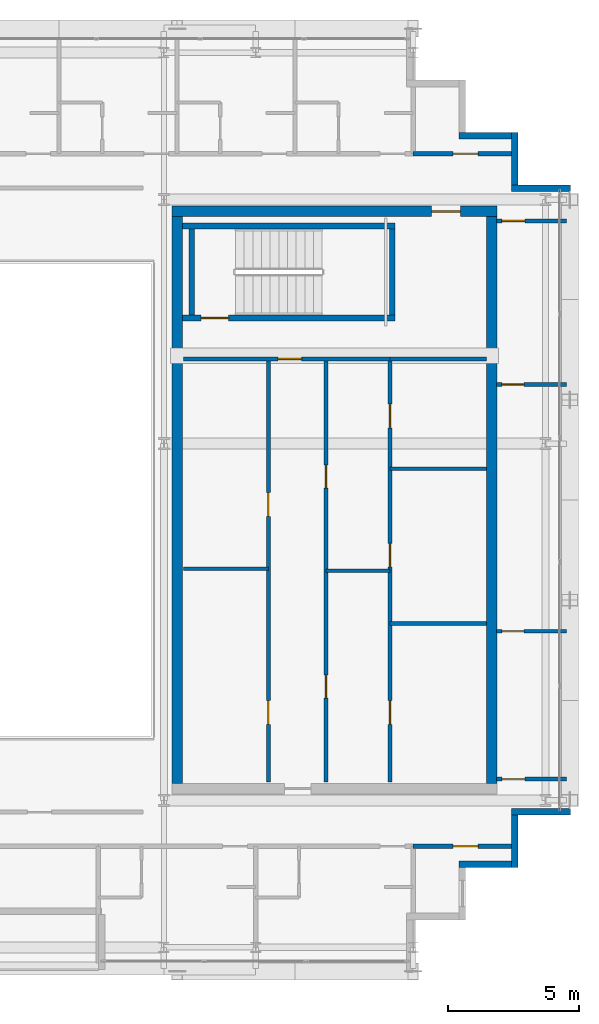
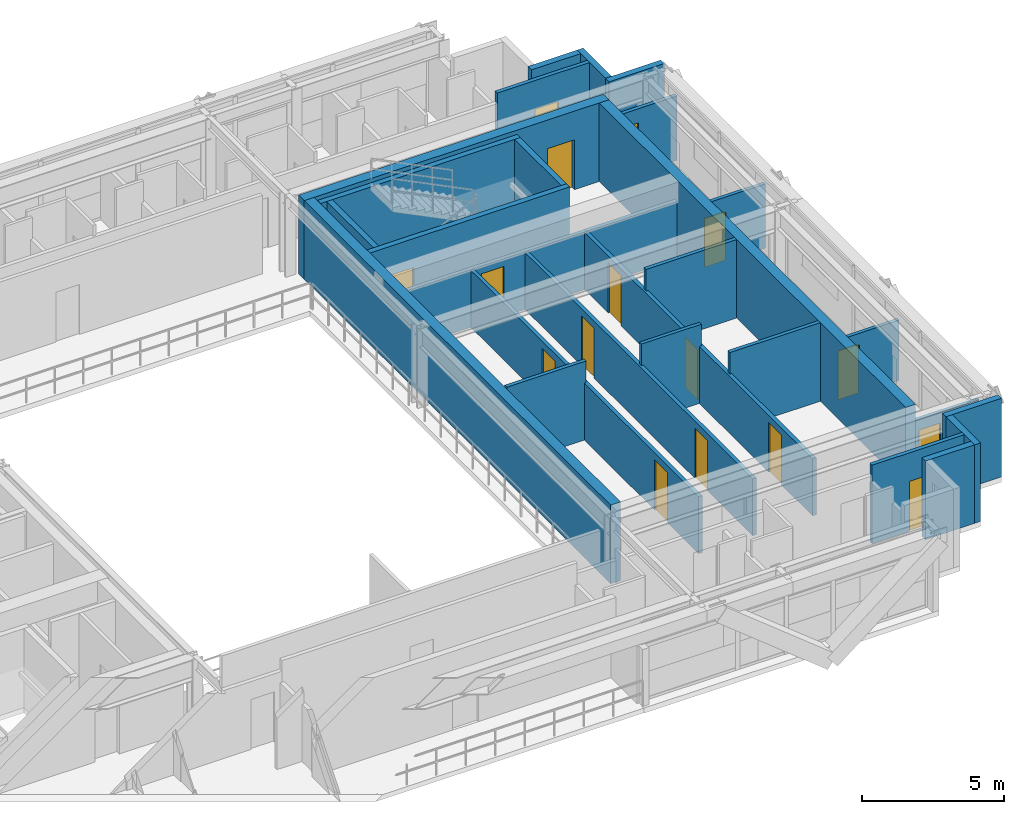
# One storey, part 22 of 28: 28 walls, 16 doors, 16 openings.
"""IFC4 building model written with IfcOpenShell, lengths in metres."""

from ifc_helpers import new_model, si_unit, direction, frame, frame_2d, origin, place, context, subcontext, project, spatial, rectangle, extrude, source, transform, mapped, material, layer, layer_set, type_object, element, fill, save


model = new_model("IFC4")

# Units and contexts
model_context = context("Model", 3, precision=1e-05, world=origin(), true_north=direction((0.0, 1.0)))
body_context = subcontext(model_context, "Body", "Model", "MODEL_VIEW")
ifc_project = project(units=[si_unit("LENGTHUNIT", "METRE"), si_unit("AREAUNIT", "SQUARE_METRE"), si_unit("VOLUMEUNIT", "CUBIC_METRE"), si_unit("PLANEANGLEUNIT", "RADIAN"), si_unit("MASSUNIT", "GRAM", prefix="KILO")], contexts=[model_context])

# Site, building, storey
site_placement = place(None, origin())
site = spatial("IfcSite", under=ifc_project, at=site_placement, CompositionType="ELEMENT")
building_placement = place(site_placement, origin())
building = spatial("IfcBuilding", under=site, at=building_placement, Name="Ocotamira Hotel", CompositionType="ELEMENT")
storey_placement = place(building_placement, frame((0.0, 0.0, 240.0)))
storey = spatial("IfcBuildingStorey", under=building, at=storey_placement, Name="L60", CompositionType="ELEMENT", Elevation=240.0)

# Wall, opening, door
ifc_material_1 = material(Name="Concrete C50/60", Category="concrete")
ifc_layer_1 = layer(ifc_material_1, 0.39990234375)
ifc_layer_set_1 = layer_set([ifc_layer_1], Name="Concrete C50/60")
wall_type_1 = type_object("IfcWallType", Name="WL-CORE-400", PredefinedType="SHEAR", material=ifc_layer_set_1)
wall_1_placement = place(storey_placement, frame((40.800048828125, 37.0, 0.0), z_axis=(0.0, 0.0, 1.0), x_axis=(1.0, 0.0, 0.0)))
wall_1 = element("IfcWall", 1, at=wall_1_placement, inside=storey, type_object=wall_type_1, Name="L60 Shear Core Wall ECORE-N", PredefinedType="SHEAR", context=body_context, shape_type="SweptSolid", body=[
    extrude(rectangle(XDim=12.39990234375, YDim=0.39990234375, at=frame_2d((6.199951171875, 0.0))), origin(), (0.0, 0.0, 1.0), 3.3798828125),
])
opening_1_placement = place(wall_1_placement, frame((9.89990234375, 0.0, 0.0)))
opening_1 = element("IfcOpeningElement", 2, at=opening_1_placement, cuts=wall_1, Name="Opening D-FR1", PredefinedType="OPENING", context=body_context, shape_type="SweptSolid", body=[
    extrude(rectangle(XDim=1.10009765625, YDim=2.14990234375, at=frame_2d((0.550048828125, 1.074951171875))), frame((0.0, 0.2099609375, 0.0), z_axis=(0.0, -1.0, 0.0), x_axis=(1.0, 0.0, 0.0)), (0.0, 0.0, 1.0), 0.419921875),
])
ifc_material_2 = material(Name="Fire-rated acoustic timber-veneer door", Category="wood")
door_type_1 = type_object("IfcDoorType", Name="DR-FIRE-1100", OperationType="NOTDEFINED", PredefinedType="DOOR", material=ifc_material_2)
shared_shape_1 = source(origin(), body_context, "Body", "SweptSolid", [
    extrude(rectangle(XDim=1.10009765625, YDim=2.14990234375, at=frame_2d((0.550048828125, 1.074951171875))), frame((0.0, 0.02490234375, 0.0), z_axis=(0.0, -1.0, 0.0), x_axis=(1.0, 0.0, 0.0)), (0.0, 0.0, 1.0), 0.050048828125),
])
door_1_placement = place(opening_1_placement, origin())
door_1 = element("IfcDoor", 3, at=door_1_placement, inside=storey, type_object=door_type_1, Name="L60 Door ID-L60-ELOB-N-D [ID-L60-ELOB-N-D]", OperationType="SINGLE_SWING_LEFT", OverallHeight=2.14990234375, OverallWidth=1.10009765625, PredefinedType="DOOR", context=body_context, shape_type="MappedRepresentation", body=[
    mapped(shared_shape_1, transform((0.0, 0.0, 0.0), scale=1.0)),
])
fill(opening_1, door_1)

# Walls
for number, where, z_axis, x_axis, name in (
    (4, (41.0, 15.199951171875, 0.0), (0.0, 0.0, 1.0), (0.0, 1.0, 0.0), "L60 Shear Core Wall ECORE-W"),
    (5, (53.0, 15.199951171875, 0.0), (0.0, 0.0, 1.0), (0.0, 1.0, 0.0), "L60 Shear Core Wall ECORE-E"),
):
    element("IfcWall", number, at=place(storey_placement, frame(where, z_axis=z_axis, x_axis=x_axis)), inside=storey, type_object=wall_type_1, Name=name, PredefinedType="SHEAR", context=body_context, shape_type="SweptSolid", body=[
        extrude(rectangle(XDim=21.60009765625, YDim=0.39990234375, at=frame_2d((10.800048828125, 0.0))), origin(), (0.0, 0.0, 1.0), 3.3798828125),
    ])
ifc_material_3 = material(Name="Precast concrete C45/55", Category="concrete")
ifc_layer_2 = layer(ifc_material_3, 0.25)
ifc_layer_set_2 = layer_set([ifc_layer_2], Name="Precast concrete C45/55")
wall_type_2 = type_object("IfcWallType", Name="WL-EXT-SER-250", PredefinedType="SOLIDWALL", material=ifc_layer_set_2)
for number, where, z_axis, x_axis, name in (
    (6, (51.75, 12.125, 0.0), (0.0, 0.0, 1.0), (1.0, 0.0, 0.0), "L60 Serrated Corner Wall 04"),
    (7, (53.875, 12.0, 0.0), (0.0, 0.0, 1.0), (0.0, 1.0, 0.0), "L60 Serrated Corner Wall 05"),
):
    element("IfcWall", number, at=place(storey_placement, frame(where, z_axis=z_axis, x_axis=x_axis)), inside=storey, type_object=wall_type_2, Name=name, PredefinedType="SOLIDWALL", context=body_context, shape_type="SweptSolid", body=[
        extrude(rectangle(XDim=2.0, YDim=0.25, at=frame_2d((1.0, 0.0))), origin(), (0.0, 0.0, 1.0), 3.3798828125),
    ])
for number, where, z_axis, x_axis, name in (
    (8, (53.75, 14.125, 0.0), (0.0, 0.0, 1.0), (1.0, 0.0, 0.0), "L60 Serrated Corner Wall 06"),
    (9, (56.0, 37.875, 0.0), (0.0, 0.0, 1.0), (-1.0, 0.0, 0.0), "L60 Serrated Corner Wall 07"),
):
    element("IfcWall", number, at=place(storey_placement, frame(where, z_axis=z_axis, x_axis=x_axis)), inside=storey, type_object=wall_type_2, Name=name, PredefinedType="SOLIDWALL", context=body_context, shape_type="SweptSolid", body=[
        extrude(rectangle(XDim=2.25, YDim=0.25, at=frame_2d((1.125, 0.0))), origin(), (0.0, 0.0, 1.0), 3.3798828125),
    ])
for number, where, z_axis, x_axis, name in (
    (10, (53.875, 38.0, 0.0), (0.0, 0.0, 1.0), (0.0, 1.0, 0.0), "L60 Serrated Corner Wall 08"),
    (11, (53.75, 39.875, 0.0), (0.0, 0.0, 1.0), (-1.0, 0.0, 0.0), "L60 Serrated Corner Wall 09"),
):
    element("IfcWall", number, at=place(storey_placement, frame(where, z_axis=z_axis, x_axis=x_axis)), inside=storey, type_object=wall_type_2, Name=name, PredefinedType="SOLIDWALL", context=body_context, shape_type="SweptSolid", body=[
        extrude(rectangle(XDim=2.0, YDim=0.25, at=frame_2d((1.0, 0.0))), origin(), (0.0, 0.0, 1.0), 3.3798828125),
    ])
ifc_material_4 = material(Name="Acoustic double-layer fire gypsum board partition", Category="gypsum")
ifc_layer_3 = layer(ifc_material_4, 0.159912109375)
ifc_layer_set_3 = layer_set([ifc_layer_3], Name="Acoustic double-layer fire gypsum board partition")
wall_type_3 = type_object("IfcWallType", Name="WL-FIRE-160", PredefinedType="PARTITIONING", material=ifc_layer_set_3)
wall_2_placement = place(storey_placement, frame((49.1201171875, 31.3798828125, 0.0), z_axis=(0.0, 0.0, 1.0), x_axis=(1.0, 0.0, 0.0)))
element("IfcWall", 12, at=wall_2_placement, inside=storey, type_object=wall_type_3, Name="L60 Interior Wall PW-L60-EC-FLOW-N", PredefinedType="PARTITIONING", context=body_context, shape_type="SweptSolid", body=[
    extrude(rectangle(XDim=3.679931640625, YDim=0.159912109375, at=frame_2d((1.83984375, 0.0))), origin(), (0.0, 0.0, 1.0), 2.47998046875),
])

# Wall, openings, doors
wall_3_placement = place(storey_placement, frame((49.1201171875, 15.25, 0.0), z_axis=(0.0, 0.0, 1.0), x_axis=(0.0, 1.0, 0.0)))
wall_3 = element("IfcWall", 13, at=wall_3_placement, inside=storey, type_object=wall_type_3, Name="L60 Interior Wall PW-L60-EC-FLOW-W", PredefinedType="PARTITIONING", context=body_context, shape_type="SweptSolid", body=[
    extrude(rectangle(XDim=16.1298828125, YDim=0.159912109375, at=frame_2d((8.06494140625, 0.0))), origin(), (0.0, 0.0, 1.0), 2.452880859375),
])
opening_2_placement = place(wall_3_placement, frame((2.199951171875, 0.0, 0.0)))
opening_2 = element("IfcOpeningElement", 14, at=opening_2_placement, cuts=wall_3, Name="Opening D-IN3", PredefinedType="OPENING", context=body_context, shape_type="SweptSolid", body=[
    extrude(rectangle(XDim=0.89990234375, YDim=2.14990234375, at=frame_2d((0.449951171875, 1.074951171875))), frame((0.0, 0.08984375, 0.0), z_axis=(0.0, -1.0, 0.0), x_axis=(1.0, 0.0, 0.0)), (0.0, 0.0, 1.0), 0.179931640625),
])
opening_3_placement = place(wall_3_placement, frame((8.199951171875, 0.0, 0.0)))
opening_3 = element("IfcOpeningElement", 15, at=opening_3_placement, cuts=wall_3, Name="Opening D-IN3", PredefinedType="OPENING", context=body_context, shape_type="SweptSolid", body=[
    extrude(rectangle(XDim=0.89990234375, YDim=2.14990234375, at=frame_2d((0.449951171875, 1.074951171875))), frame((0.0, 0.08984375, 0.0), z_axis=(0.0, -1.0, 0.0), x_axis=(1.0, 0.0, 0.0)), (0.0, 0.0, 1.0), 0.179931640625),
])
opening_4_placement = place(wall_3_placement, frame((13.5, 0.0, 0.0)))
opening_4 = element("IfcOpeningElement", 16, at=opening_4_placement, cuts=wall_3, Name="Opening D-IN3", PredefinedType="OPENING", context=body_context, shape_type="SweptSolid", body=[
    extrude(rectangle(XDim=0.89990234375, YDim=2.14990234375, at=frame_2d((0.449951171875, 1.074951171875))), frame((0.0, 0.08984375, 0.0), z_axis=(0.0, -1.0, 0.0), x_axis=(1.0, 0.0, 0.0)), (0.0, 0.0, 1.0), 0.179931640625),
])
ifc_material_5 = material(Name="Painted service room door", Category="steel")
door_type_2 = type_object("IfcDoorType", Name="DR-INT-900", OperationType="NOTDEFINED", PredefinedType="DOOR", material=ifc_material_5)
shared_shape_2 = source(origin(), body_context, "Body", "SweptSolid", [
    extrude(rectangle(XDim=0.89990234375, YDim=2.14990234375, at=frame_2d((0.449951171875, 1.074951171875))), frame((0.0, 0.02490234375, 0.0), z_axis=(0.0, -1.0, 0.0), x_axis=(1.0, 0.0, 0.0)), (0.0, 0.0, 1.0), 0.050048828125),
])
door_2_placement = place(opening_2_placement, origin())
door_2 = element("IfcDoor", 17, at=door_2_placement, inside=storey, type_object=door_type_2, Name="L60 Door ID-L60-EC-FLOW-D1 [ID-L60-EC-FLOW-D1]", OperationType="SINGLE_SWING_LEFT", OverallHeight=2.14990234375, OverallWidth=0.89990234375, PredefinedType="DOOR", context=body_context, shape_type="MappedRepresentation", body=[
    mapped(shared_shape_2, transform((0.0, 0.0, 0.0), scale=1.0)),
])
fill(opening_2, door_2)
door_3_placement = place(opening_3_placement, origin())
door_3 = element("IfcDoor", 18, at=door_3_placement, inside=storey, type_object=door_type_2, Name="L60 Door ID-L60-EC-FLOW-D2 [ID-L60-EC-FLOW-D2]", OperationType="SINGLE_SWING_RIGHT", OverallHeight=2.14990234375, OverallWidth=0.89990234375, PredefinedType="DOOR", context=body_context, shape_type="MappedRepresentation", body=[
    mapped(shared_shape_2, transform((0.0, 0.0, 0.0), scale=1.0)),
])
fill(opening_3, door_3)
door_4_placement = place(opening_4_placement, origin())
door_4 = element("IfcDoor", 19, at=door_4_placement, inside=storey, type_object=door_type_2, Name="L60 Door ID-L60-EC-FLOW-D3 [ID-L60-EC-FLOW-D3]", OperationType="SINGLE_SWING_LEFT", OverallHeight=2.14990234375, OverallWidth=0.89990234375, PredefinedType="DOOR", context=body_context, shape_type="MappedRepresentation", body=[
    mapped(shared_shape_2, transform((0.0, 0.0, 0.0), scale=1.0)),
])
fill(opening_4, door_4)

# Wall, opening, door
wall_4_placement = place(storey_placement, frame((50.0, 12.800048828125, 0.0), z_axis=(0.0, 0.0, 1.0), x_axis=(1.0, 0.0, 0.0)))
wall_4 = element("IfcWall", 20, at=wall_4_placement, inside=storey, type_object=wall_type_3, Name="L60 Interior Wall PW-L60-Z4CSE-CW", PredefinedType="PARTITIONING", context=body_context, shape_type="SweptSolid", body=[
    extrude(rectangle(XDim=4.0, YDim=0.159912109375, at=frame_2d((2.0, 0.0))), origin(), (0.0, 0.0, 1.0), 3.3798828125),
])
opening_5_placement = place(wall_4_placement, frame((1.52001953125, 0.0, 0.0)))
opening_5 = element("IfcOpeningElement", 21, at=opening_5_placement, cuts=wall_4, Name="Opening D-SV4", PredefinedType="OPENING", context=body_context, shape_type="SweptSolid", body=[
    extrude(rectangle(XDim=0.9599609375, YDim=2.14990234375, at=frame_2d((0.47998046875, 1.074951171875))), frame((0.0, 0.08984375, 0.0), z_axis=(0.0, -1.0, 0.0), x_axis=(1.0, 0.0, 0.0)), (0.0, 0.0, 1.0), 0.179931640625),
])
ifc_material_6 = material(Name="Fire-rated accessible walnut salon door", Category="wood")
door_type_3 = type_object("IfcDoorType", Name="DR-SERV-960", OperationType="NOTDEFINED", PredefinedType="DOOR", material=ifc_material_6)
shared_shape_3 = source(origin(), body_context, "Body", "SweptSolid", [
    extrude(rectangle(XDim=0.9599609375, YDim=2.14990234375, at=frame_2d((0.47998046875, 1.074951171875))), frame((0.0, 0.02490234375, 0.0), z_axis=(0.0, -1.0, 0.0), x_axis=(1.0, 0.0, 0.0)), (0.0, 0.0, 1.0), 0.050048828125),
])
door_5_placement = place(opening_5_placement, origin())
door_5 = element("IfcDoor", 22, at=door_5_placement, inside=storey, type_object=door_type_3, Name="L60 Door ID-L60-Z4CSE-CD [ID-L60-Z4CSE-CD]", OperationType="SINGLE_SWING_LEFT", OverallHeight=2.14990234375, OverallWidth=0.9599609375, PredefinedType="DOOR", context=body_context, shape_type="MappedRepresentation", body=[
    mapped(shared_shape_3, transform((0.0, 0.0, 0.0), scale=1.0)),
])
fill(opening_5, door_5)

wall_5_placement = place(storey_placement, frame((50.0, 39.199951171875, 0.0), z_axis=(0.0, 0.0, 1.0), x_axis=(1.0, 0.0, 0.0)))
wall_5 = element("IfcWall", 23, at=wall_5_placement, inside=storey, type_object=wall_type_3, Name="L60 Interior Wall PW-L60-Z4CNE-CW", PredefinedType="PARTITIONING", context=body_context, shape_type="SweptSolid", body=[
    extrude(rectangle(XDim=4.0, YDim=0.159912109375, at=frame_2d((2.0, 0.0))), origin(), (0.0, 0.0, 1.0), 3.3798828125),
])
opening_6_placement = place(wall_5_placement, frame((1.52001953125, 0.0, 0.0)))
opening_6 = element("IfcOpeningElement", 24, at=opening_6_placement, cuts=wall_5, Name="Opening D-SV4", PredefinedType="OPENING", context=body_context, shape_type="SweptSolid", body=[
    extrude(rectangle(XDim=0.9599609375, YDim=2.14990234375, at=frame_2d((0.47998046875, 1.074951171875))), frame((0.0, 0.08984375, 0.0), z_axis=(0.0, -1.0, 0.0), x_axis=(1.0, 0.0, 0.0)), (0.0, 0.0, 1.0), 0.179931640625),
])
door_6_placement = place(opening_6_placement, origin())
door_6 = element("IfcDoor", 25, at=door_6_placement, inside=storey, type_object=door_type_3, Name="L60 Door ID-L60-Z4CNE-CD [ID-L60-Z4CNE-CD]", OperationType="SINGLE_SWING_LEFT", OverallHeight=2.14990234375, OverallWidth=0.9599609375, PredefinedType="DOOR", context=body_context, shape_type="MappedRepresentation", body=[
    mapped(shared_shape_3, transform((0.0, 0.0, 0.0), scale=1.0)),
])
fill(opening_6, door_6)

# Wall
ifc_material_7 = material(Name="Acoustic hospitality gypsum board partition", Category="gypsum")
ifc_layer_4 = layer(ifc_material_7, 0.14208984375)
ifc_layer_set_4 = layer_set([ifc_layer_4], Name="Acoustic hospitality gypsum board partition")
wall_type_4 = type_object("IfcWallType", Name="WL-PART-142", PredefinedType="PARTITIONING", material=ifc_layer_set_4)
wall_6_placement = place(storey_placement, frame((46.679931640625, 23.300048828125, 0.0), z_axis=(0.0, 0.0, 1.0), x_axis=(1.0, 0.0, 0.0)))
element("IfcWall", 26, at=wall_6_placement, inside=storey, type_object=wall_type_4, Name="L60 Interior Wall PW-L60-EC-HDIV", PredefinedType="PARTITIONING", context=body_context, shape_type="SweptSolid", body=[
    extrude(rectangle(XDim=2.440185546875, YDim=0.14208984375, at=frame_2d((1.22021484375, 0.0))), origin(), (0.0, 0.0, 1.0), 3.3798828125),
])

# Wall, opening, door
wall_7_placement = place(storey_placement, frame((53.179931640625, 21.0, 0.0), z_axis=(0.0, 0.0, 1.0), x_axis=(1.0, 0.0, 0.0)))
wall_7 = element("IfcWall", 27, at=wall_7_placement, inside=storey, type_object=wall_type_4, Name="L60 Interior Wall PW-L60-Z4BE-DV1", PredefinedType="PARTITIONING", context=body_context, shape_type="SweptSolid", body=[
    extrude(rectangle(XDim=2.66015625, YDim=0.14208984375, at=frame_2d((1.330078125, 0.0))), origin(), (0.0, 0.0, 1.0), 2.60107421875),
])
opening_7_placement = place(wall_7_placement, frame((0.199951171875, 0.0, 0.0)))
opening_7 = element("IfcOpeningElement", 28, at=opening_7_placement, cuts=wall_7, Name="Opening D-SV1", PredefinedType="OPENING", context=body_context, shape_type="SweptSolid", body=[
    extrude(rectangle(XDim=0.840087890625, YDim=2.10009765625, at=frame_2d((0.419921875, 1.050048828125))), frame((0.0, 0.0810546875, 0.0), z_axis=(0.0, -1.0, 0.0), x_axis=(1.0, 0.0, 0.0)), (0.0, 0.0, 1.0), 0.162109375),
])
ifc_material_8 = material(Name="Fire-rated painted steel service door", Category="steel")
door_type_4 = type_object("IfcDoorType", Name="DR-SERV-840", OperationType="NOTDEFINED", PredefinedType="DOOR", material=ifc_material_8)
shared_shape_4 = source(origin(), body_context, "Body", "SweptSolid", [
    extrude(rectangle(XDim=0.840087890625, YDim=2.10009765625, at=frame_2d((0.419921875, 1.050048828125))), frame((0.0, 0.02490234375, 0.0), z_axis=(0.0, -1.0, 0.0), x_axis=(1.0, 0.0, 0.0)), (0.0, 0.0, 1.0), 0.050048828125),
])
door_7_placement = place(opening_7_placement, origin())
door_7 = element("IfcDoor", 29, at=door_7_placement, inside=storey, type_object=door_type_4, Name="L60 Door ID-L60-Z4BE-DV1D [ID-L60-Z4BE-DV1D]", OperationType="SINGLE_SWING_LEFT", OverallHeight=2.10009765625, OverallWidth=0.840087890625, PredefinedType="DOOR", context=body_context, shape_type="MappedRepresentation", body=[
    mapped(shared_shape_4, transform((0.0, 0.0, 0.0), scale=1.0)),
])
fill(opening_7, door_7)

wall_8_placement = place(storey_placement, frame((53.179931640625, 30.39990234375, 0.0), z_axis=(0.0, 0.0, 1.0), x_axis=(1.0, 0.0, 0.0)))
wall_8 = element("IfcWall", 30, at=wall_8_placement, inside=storey, type_object=wall_type_4, Name="L60 Interior Wall PW-L60-Z4BE-DV2", PredefinedType="PARTITIONING", context=body_context, shape_type="SweptSolid", body=[
    extrude(rectangle(XDim=2.66015625, YDim=0.14208984375, at=frame_2d((1.330078125, 0.0))), origin(), (0.0, 0.0, 1.0), 2.762939453125),
])
opening_8_placement = place(wall_8_placement, frame((0.199951171875, 0.0, 0.0)))
opening_8 = element("IfcOpeningElement", 31, at=opening_8_placement, cuts=wall_8, Name="Opening D-SV1", PredefinedType="OPENING", context=body_context, shape_type="SweptSolid", body=[
    extrude(rectangle(XDim=0.840087890625, YDim=2.10009765625, at=frame_2d((0.419921875, 1.050048828125))), frame((0.0, 0.0810546875, 0.0), z_axis=(0.0, -1.0, 0.0), x_axis=(1.0, 0.0, 0.0)), (0.0, 0.0, 1.0), 0.162109375),
])
door_8_placement = place(opening_8_placement, origin())
door_8 = element("IfcDoor", 32, at=door_8_placement, inside=storey, type_object=door_type_4, Name="L60 Door ID-L60-Z4BE-DV2D [ID-L60-Z4BE-DV2D]", OperationType="SINGLE_SWING_RIGHT", OverallHeight=2.10009765625, OverallWidth=0.840087890625, PredefinedType="DOOR", context=body_context, shape_type="MappedRepresentation", body=[
    mapped(shared_shape_4, transform((0.0, 0.0, 0.0), scale=1.0)),
])
fill(opening_8, door_8)

ifc_layer_5 = layer(ifc_material_7, 0.14990234375)
ifc_layer_set_5 = layer_set([ifc_layer_5], Name="Acoustic hospitality gypsum board partition")
wall_type_5 = type_object("IfcWallType", Name="WL-PART-150", PredefinedType="PARTITIONING", material=ifc_layer_set_5)
wall_9_placement = place(storey_placement, frame((41.25, 31.3798828125, 0.0), z_axis=(0.0, 0.0, 1.0), x_axis=(1.0, 0.0, 0.0)))
wall_9 = element("IfcWall", 33, at=wall_9_placement, inside=storey, type_object=wall_type_5, Name="L60 Interior Wall PW-L60-EC-HMT-N", PredefinedType="PARTITIONING", context=body_context, shape_type="SweptSolid", body=[
    extrude(rectangle(XDim=7.8701171875, YDim=0.14990234375, at=frame_2d((3.93505859375, 0.0))), origin(), (0.0, 0.0, 1.0), 2.47998046875),
])
opening_9_placement = place(wall_9_placement, frame((3.60009765625, 0.0, 0.0)))
opening_9 = element("IfcOpeningElement", 34, at=opening_9_placement, cuts=wall_9, Name="Opening D-IN3", PredefinedType="OPENING", context=body_context, shape_type="SweptSolid", body=[
    extrude(rectangle(XDim=0.89990234375, YDim=2.14990234375, at=frame_2d((0.449951171875, 1.074951171875))), frame((0.0, 0.0849609375, 0.0), z_axis=(0.0, -1.0, 0.0), x_axis=(1.0, 0.0, 0.0)), (0.0, 0.0, 1.0), 0.169921875),
])
door_9_placement = place(opening_9_placement, origin())
door_9 = element("IfcDoor", 35, at=door_9_placement, inside=storey, type_object=door_type_2, Name="L60 Door ID-L60-EC-MGALD [ID-L60-EC-MGALD]", OperationType="SINGLE_SWING_LEFT", OverallHeight=2.14990234375, OverallWidth=0.89990234375, PredefinedType="DOOR", context=body_context, shape_type="MappedRepresentation", body=[
    mapped(shared_shape_2, transform((0.0, 0.0, 0.0), scale=1.0)),
])
fill(opening_9, door_9)

# Wall, openings, doors
wall_10_placement = place(storey_placement, frame((46.679931640625, 15.25, 0.0), z_axis=(0.0, 0.0, 1.0), x_axis=(0.0, 1.0, 0.0)))
wall_10 = element("IfcWall", 36, at=wall_10_placement, inside=storey, type_object=wall_type_5, Name="L60 Interior Wall PW-L60-EC-HMT-W", PredefinedType="PARTITIONING", context=body_context, shape_type="SweptSolid", body=[
    extrude(rectangle(XDim=16.1298828125, YDim=0.14990234375, at=frame_2d((8.06494140625, 0.0))), origin(), (0.0, 0.0, 1.0), 2.452880859375),
])
opening_10_placement = place(wall_10_placement, frame((3.199951171875, 0.0, 0.0)))
opening_10 = element("IfcOpeningElement", 37, at=opening_10_placement, cuts=wall_10, Name="Opening D-SV2", PredefinedType="OPENING", context=body_context, shape_type="SweptSolid", body=[
    extrude(rectangle(XDim=0.8798828125, YDim=2.14990234375, at=frame_2d((0.43994140625, 1.074951171875))), frame((0.0, 0.0849609375, 0.0), z_axis=(0.0, -1.0, 0.0), x_axis=(1.0, 0.0, 0.0)), (0.0, 0.0, 1.0), 0.169921875),
])
opening_11_placement = place(wall_10_placement, frame((11.199951171875, 0.0, 0.0)))
opening_11 = element("IfcOpeningElement", 38, at=opening_11_placement, cuts=wall_10, Name="Opening D-SV2", PredefinedType="OPENING", context=body_context, shape_type="SweptSolid", body=[
    extrude(rectangle(XDim=0.8798828125, YDim=2.14990234375, at=frame_2d((0.43994140625, 1.074951171875))), frame((0.0, 0.0849609375, 0.0), z_axis=(0.0, -1.0, 0.0), x_axis=(1.0, 0.0, 0.0)), (0.0, 0.0, 1.0), 0.169921875),
])
door_type_5 = type_object("IfcDoorType", Name="DR-SERV-880", OperationType="NOTDEFINED", PredefinedType="DOOR", material=ifc_material_8)
shared_shape_5 = source(origin(), body_context, "Body", "SweptSolid", [
    extrude(rectangle(XDim=0.8798828125, YDim=2.14990234375, at=frame_2d((0.43994140625, 1.074951171875))), frame((0.0, 0.02490234375, 0.0), z_axis=(0.0, -1.0, 0.0), x_axis=(1.0, 0.0, 0.0)), (0.0, 0.0, 1.0), 0.050048828125),
])
door_10_placement = place(opening_10_placement, origin())
door_10 = element("IfcDoor", 39, at=door_10_placement, inside=storey, type_object=door_type_5, Name="L60 Door ID-L60-EC-HMTD1 [ID-L60-EC-HMTD1]", OperationType="SINGLE_SWING_RIGHT", OverallHeight=2.14990234375, OverallWidth=0.8798828125, PredefinedType="DOOR", context=body_context, shape_type="MappedRepresentation", body=[
    mapped(shared_shape_5, transform((0.0, 0.0, 0.0), scale=1.0)),
])
fill(opening_10, door_10)
door_11_placement = place(opening_11_placement, origin())
door_11 = element("IfcDoor", 40, at=door_11_placement, inside=storey, type_object=door_type_5, Name="L60 Door ID-L60-EC-HMTD2 [ID-L60-EC-HMTD2]", OperationType="SINGLE_SWING_LEFT", OverallHeight=2.14990234375, OverallWidth=0.8798828125, PredefinedType="DOOR", context=body_context, shape_type="MappedRepresentation", body=[
    mapped(shared_shape_5, transform((0.0, 0.0, 0.0), scale=1.0)),
])
fill(opening_11, door_11)

# Walls
for number, where, z_axis, x_axis, name in (
    (41, (49.1201171875, 21.2900390625, 0.0), (0.0, 0.0, 1.0), (1.0, 0.0, 0.0), "L60 Interior Wall PW-L60-EC-FDIV1"),
    (42, (49.1201171875, 27.18994140625, 0.0), (0.0, 0.0, 1.0), (1.0, 0.0, 0.0), "L60 Interior Wall PW-L60-EC-FDIV2"),
):
    element("IfcWall", number, at=place(storey_placement, frame(where, z_axis=z_axis, x_axis=x_axis)), inside=storey, type_object=wall_type_5, Name=name, PredefinedType="PARTITIONING", context=body_context, shape_type="SweptSolid", body=[
        extrude(rectangle(XDim=3.679931640625, YDim=0.14990234375, at=frame_2d((1.83984375, 0.0))), origin(), (0.0, 0.0, 1.0), 3.3798828125),
    ])
wall_11_placement = place(storey_placement, frame((41.25, 23.3798828125, 0.0), z_axis=(0.0, 0.0, 1.0), x_axis=(1.0, 0.0, 0.0)))
element("IfcWall", 43, at=wall_11_placement, inside=storey, type_object=wall_type_5, Name="L60 Interior Wall PW-L60-EC-FMID-DIV", PredefinedType="PARTITIONING", context=body_context, shape_type="SweptSolid", body=[
    extrude(rectangle(XDim=3.22998046875, YDim=0.14990234375, at=frame_2d((1.614990234375, 0.0))), origin(), (0.0, 0.0, 1.0), 3.3798828125),
])

# Wall, openings, doors
wall_12_placement = place(storey_placement, frame((44.47998046875, 15.25, 0.0), z_axis=(0.0, 0.0, 1.0), x_axis=(0.0, 1.0, 0.0)))
wall_12 = element("IfcWall", 44, at=wall_12_placement, inside=storey, type_object=wall_type_5, Name="L60 Interior Wall PW-L60-EC-FMID-E", PredefinedType="PARTITIONING", context=body_context, shape_type="SweptSolid", body=[
    extrude(rectangle(XDim=16.1298828125, YDim=0.14990234375, at=frame_2d((8.06494140625, 0.0))), origin(), (0.0, 0.0, 1.0), 2.452880859375),
])
opening_12_placement = place(wall_12_placement, frame((2.199951171875, 0.0, 0.0)))
opening_12 = element("IfcOpeningElement", 45, at=opening_12_placement, cuts=wall_12, Name="Opening D-IN3", PredefinedType="OPENING", context=body_context, shape_type="SweptSolid", body=[
    extrude(rectangle(XDim=0.89990234375, YDim=2.14990234375, at=frame_2d((0.449951171875, 1.074951171875))), frame((0.0, 0.0849609375, 0.0), z_axis=(0.0, -1.0, 0.0), x_axis=(1.0, 0.0, 0.0)), (0.0, 0.0, 1.0), 0.169921875),
])
opening_13_placement = place(wall_12_placement, frame((10.1298828125, 0.0, 0.0)))
opening_13 = element("IfcOpeningElement", 46, at=opening_13_placement, cuts=wall_12, Name="Opening D-IN3", PredefinedType="OPENING", context=body_context, shape_type="SweptSolid", body=[
    extrude(rectangle(XDim=0.89990234375, YDim=2.14990234375, at=frame_2d((0.449951171875, 1.074951171875))), frame((0.0, 0.0849609375, 0.0), z_axis=(0.0, -1.0, 0.0), x_axis=(1.0, 0.0, 0.0)), (0.0, 0.0, 1.0), 0.169921875),
])
door_12_placement = place(opening_12_placement, origin())
door_12 = element("IfcDoor", 47, at=door_12_placement, inside=storey, type_object=door_type_2, Name="L60 Door ID-L60-EC-FMID-D1 [ID-L60-EC-FMID-D1]", OperationType="SINGLE_SWING_RIGHT", OverallHeight=2.14990234375, OverallWidth=0.89990234375, PredefinedType="DOOR", context=body_context, shape_type="MappedRepresentation", body=[
    mapped(shared_shape_2, transform((0.0, 0.0, 0.0), scale=1.0)),
])
fill(opening_12, door_12)
door_13_placement = place(opening_13_placement, origin())
door_13 = element("IfcDoor", 48, at=door_13_placement, inside=storey, type_object=door_type_2, Name="L60 Door ID-L60-EC-FMID-D2 [ID-L60-EC-FMID-D2]", OperationType="SINGLE_SWING_LEFT", OverallHeight=2.14990234375, OverallWidth=0.89990234375, PredefinedType="DOOR", context=body_context, shape_type="MappedRepresentation", body=[
    mapped(shared_shape_2, transform((0.0, 0.0, 0.0), scale=1.0)),
])
fill(opening_13, door_13)

# Wall, opening, door
wall_13_placement = place(storey_placement, frame((53.179931640625, 15.360107421875, 0.0), z_axis=(0.0, 0.0, 1.0), x_axis=(1.0, 0.0, 0.0)))
wall_13 = element("IfcWall", 49, at=wall_13_placement, inside=storey, type_object=wall_type_5, Name="L60 Interior Wall PW-L60-Z4BE-WS", PredefinedType="PARTITIONING", context=body_context, shape_type="SweptSolid", body=[
    extrude(rectangle(XDim=2.66015625, YDim=0.14990234375, at=frame_2d((1.330078125, 0.0))), origin(), (0.0, 0.0, 1.0), 2.60107421875),
])
opening_14_placement = place(wall_13_placement, frame((0.199951171875, 0.0, 0.0)))
opening_14 = element("IfcOpeningElement", 50, at=opening_14_placement, cuts=wall_13, Name="Opening D-SV2", PredefinedType="OPENING", context=body_context, shape_type="SweptSolid", body=[
    extrude(rectangle(XDim=0.8798828125, YDim=2.14990234375, at=frame_2d((0.43994140625, 1.074951171875))), frame((0.0, 0.0849609375, 0.0), z_axis=(0.0, -1.0, 0.0), x_axis=(1.0, 0.0, 0.0)), (0.0, 0.0, 1.0), 0.169921875),
])
door_14_placement = place(opening_14_placement, origin())
door_14 = element("IfcDoor", 51, at=door_14_placement, inside=storey, type_object=door_type_5, Name="L60 Door ID-L60-Z4BE-DS [ID-L60-Z4BE-DS]", OperationType="SINGLE_SWING_RIGHT", OverallHeight=2.14990234375, OverallWidth=0.8798828125, PredefinedType="DOOR", context=body_context, shape_type="MappedRepresentation", body=[
    mapped(shared_shape_5, transform((0.0, 0.0, 0.0), scale=1.0)),
])
fill(opening_14, door_14)

wall_14_placement = place(storey_placement, frame((53.179931640625, 36.639892578125, 0.0), z_axis=(0.0, 0.0, 1.0), x_axis=(1.0, 0.0, 0.0)))
wall_14 = element("IfcWall", 52, at=wall_14_placement, inside=storey, type_object=wall_type_5, Name="L60 Interior Wall PW-L60-Z4BE-WN", PredefinedType="PARTITIONING", context=body_context, shape_type="SweptSolid", body=[
    extrude(rectangle(XDim=2.66015625, YDim=0.14990234375, at=frame_2d((1.330078125, 0.0))), origin(), (0.0, 0.0, 1.0), 2.762939453125),
])
opening_15_placement = place(wall_14_placement, frame((0.199951171875, 0.0, 0.0)))
opening_15 = element("IfcOpeningElement", 53, at=opening_15_placement, cuts=wall_14, Name="Opening D-SV2", PredefinedType="OPENING", context=body_context, shape_type="SweptSolid", body=[
    extrude(rectangle(XDim=0.8798828125, YDim=2.14990234375, at=frame_2d((0.43994140625, 1.074951171875))), frame((0.0, 0.0849609375, 0.0), z_axis=(0.0, -1.0, 0.0), x_axis=(1.0, 0.0, 0.0)), (0.0, 0.0, 1.0), 0.169921875),
])
door_15_placement = place(opening_15_placement, origin())
door_15 = element("IfcDoor", 54, at=door_15_placement, inside=storey, type_object=door_type_5, Name="L60 Door ID-L60-Z4BE-DN [ID-L60-Z4BE-DN]", OperationType="SINGLE_SWING_LEFT", OverallHeight=2.14990234375, OverallWidth=0.8798828125, PredefinedType="DOOR", context=body_context, shape_type="MappedRepresentation", body=[
    mapped(shared_shape_5, transform((0.0, 0.0, 0.0), scale=1.0)),
])
fill(opening_15, door_15)

ifc_layer_6 = layer(ifc_material_1, 0.219970703125)
ifc_layer_set_6 = layer_set([ifc_layer_6], Name="Concrete C50/60")
wall_type_6 = type_object("IfcWallType", Name="WL-STAIR-220", PredefinedType="SHEAR", material=ifc_layer_set_6)
wall_15_placement = place(storey_placement, frame((41.199951171875, 32.93994140625, 0.0), z_axis=(0.0, 0.0, 1.0), x_axis=(1.0, 0.0, 0.0)))
wall_15 = element("IfcWall", 55, at=wall_15_placement, inside=storey, type_object=wall_type_6, Name="L60 Stair Shaft Structural Wall ST-4-S", PredefinedType="SHEAR", context=body_context, shape_type="SweptSolid", body=[
    extrude(rectangle(XDim=8.110107421875, YDim=0.219970703125, at=frame_2d((4.05517578125, 0.0))), origin(), (0.0, 0.0, 1.0), 3.39990234375),
])
opening_16_placement = place(wall_15_placement, frame((0.719970703125, 0.0, 0.0)))
opening_16 = element("IfcOpeningElement", 56, at=opening_16_placement, cuts=wall_15, Name="Opening D-ST2", PredefinedType="OPENING", context=body_context, shape_type="SweptSolid", body=[
    extrude(rectangle(XDim=1.050048828125, YDim=2.14990234375, at=frame_2d((0.52490234375, 1.074951171875))), frame((0.0, 0.1201171875, 0.0), z_axis=(0.0, -1.0, 0.0), x_axis=(1.0, 0.0, 0.0)), (0.0, 0.0, 1.0), 0.239990234375),
])
ifc_material_9 = material(Name="Insulated painted hollow-metal fire exit door", Category="steel")
door_type_6 = type_object("IfcDoorType", Name="DR-STAIR-1050", OperationType="NOTDEFINED", PredefinedType="DOOR", material=ifc_material_9)
shared_shape_6 = source(origin(), body_context, "Body", "SweptSolid", [
    extrude(rectangle(XDim=1.050048828125, YDim=2.14990234375, at=frame_2d((0.52490234375, 1.074951171875))), frame((0.0, 0.02490234375, 0.0), z_axis=(0.0, -1.0, 0.0), x_axis=(1.0, 0.0, 0.0)), (0.0, 0.0, 1.0), 0.050048828125),
])
door_16_placement = place(opening_16_placement, origin())
door_16 = element("IfcDoor", 57, at=door_16_placement, inside=storey, type_object=door_type_6, Name="L60 Door ID-L60-STD-ST-4 [ID-L60-STD-ST-4]", OperationType="SINGLE_SWING_RIGHT", OverallHeight=2.14990234375, OverallWidth=1.050048828125, PredefinedType="DOOR", context=body_context, shape_type="MappedRepresentation", body=[
    mapped(shared_shape_6, transform((0.0, 0.0, 0.0), scale=1.0)),
])
fill(opening_16, door_16)

# Walls
wall_16_placement = place(storey_placement, frame((41.199951171875, 36.43994140625, 0.0), z_axis=(0.0, 0.0, 1.0), x_axis=(1.0, 0.0, 0.0)))
element("IfcWall", 58, at=wall_16_placement, inside=storey, type_object=wall_type_6, Name="L60 Stair Shaft Structural Wall ST-4-N", PredefinedType="SHEAR", context=body_context, shape_type="SweptSolid", body=[
    extrude(rectangle(XDim=8.110107421875, YDim=0.219970703125, at=frame_2d((4.05517578125, 0.0))), origin(), (0.0, 0.0, 1.0), 3.39990234375),
])
for number, where, z_axis, x_axis, name in (
    (59, (41.56005859375, 33.050048828125, 0.0), (0.0, 0.0, 1.0), (0.0, 1.0, 0.0), "L60 Stair Shaft Structural Wall ST-4-W"),
    (60, (49.199951171875, 33.050048828125, 0.0), (0.0, 0.0, 1.0), (0.0, 1.0, 0.0), "L60 Stair Shaft Structural Wall ST-4-E"),
):
    element("IfcWall", number, at=place(storey_placement, frame(where, z_axis=z_axis, x_axis=x_axis)), inside=storey, type_object=wall_type_6, Name=name, PredefinedType="SHEAR", context=body_context, shape_type="SweptSolid", body=[
        extrude(rectangle(XDim=3.280029296875, YDim=0.219970703125, at=frame_2d((1.64013671875, 0.0))), origin(), (0.0, 0.0, 1.0), 3.39990234375),
    ])

save(model, "model.ifc")
